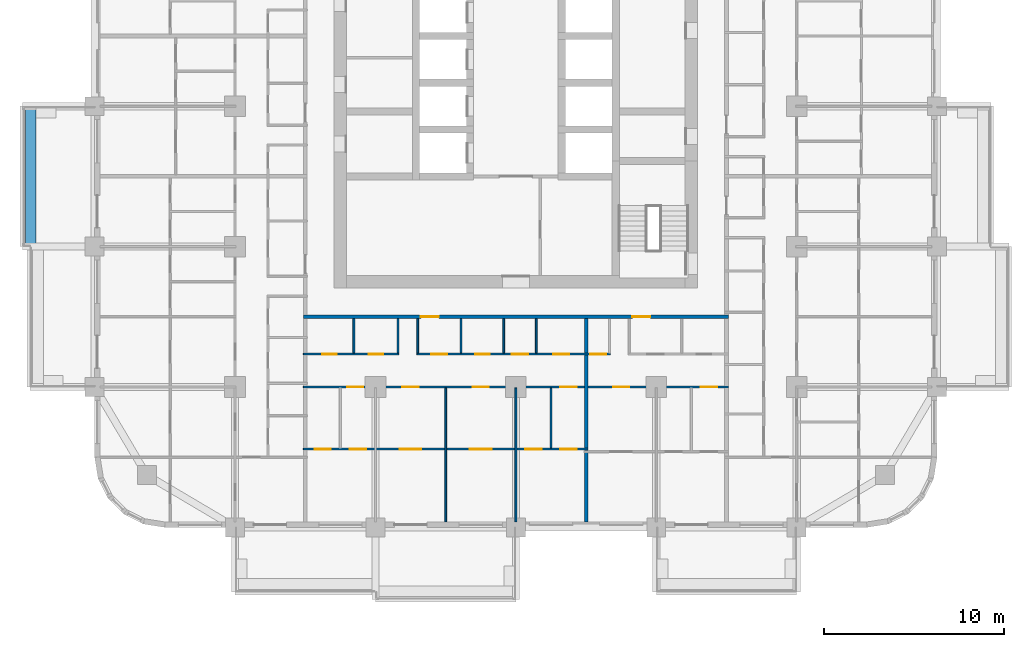
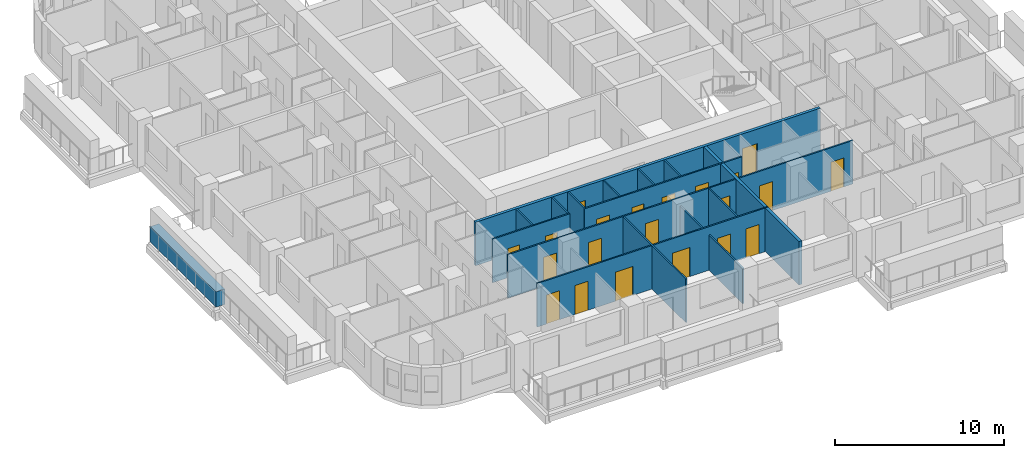
# One storey, part 4 of 17: 21 doors, 16 walls, 21 openings.
"""IFC4 building model written with IfcOpenShell, lengths in metres."""

from ifc_helpers import new_model, si_unit, direction, frame, frame_2d, origin, place, context, subcontext, project, spatial, rectangle, extrude, material, layer, layer_set, type_object, element, fill, save


model = new_model("IFC4")

# Units and contexts
model_context = context("Model", 3, precision=1e-05, world=origin(), true_north=direction((0.0, 1.0)))
body_context = subcontext(model_context, "Body", "Model", "MODEL_VIEW")
ifc_project = project(units=[si_unit("LENGTHUNIT", "METRE"), si_unit("AREAUNIT", "SQUARE_METRE"), si_unit("VOLUMEUNIT", "CUBIC_METRE"), si_unit("PLANEANGLEUNIT", "RADIAN"), si_unit("MASSUNIT", "GRAM", prefix="KILO")], contexts=[model_context])

# Site, building, storey
site_placement = place(None, origin())
site = spatial("IfcSite", under=ifc_project, at=site_placement, CompositionType="ELEMENT")
building_placement = place(site_placement, origin())
building = spatial("IfcBuilding", under=site, at=building_placement, Name="Ludao Terraces", CompositionType="ELEMENT")
storey_placement = place(building_placement, frame((0.0, 0.0, 22.89990234375)))
storey = spatial("IfcBuildingStorey", under=building, at=storey_placement, Name="L05", CompositionType="ELEMENT", Elevation=22.89990234375)

# Wall
ifc_material_1 = material(Name="Concrete C40", Category="concrete")
ifc_layer_1 = layer(ifc_material_1, 0.60009765625)
ifc_layer_set_1 = layer_set([ifc_layer_1], Name="ENV Planter trough 600")
wall_type_1 = type_object("IfcWallType", Name="ENV Planter trough 600", PredefinedType="USERDEFINED", material=ifc_layer_set_1)
wall_1_placement = place(storey_placement, frame((58.050048828125, 57.199951171875, 0.0), z_axis=(0.0, 0.0, 1.0), x_axis=(0.0, 1.0, 0.0)))
element("IfcWall", 1, at=wall_1_placement, inside=storey, type_object=wall_type_1, Name="PL-L05-W2", ObjectType="PLANTER", PredefinedType="USERDEFINED", context=body_context, shape_type="SweptSolid", body=[
    extrude(rectangle(XDim=7.800048828125, YDim=0.60009765625, at=frame_2d((3.89990234375, 0.0))), origin(), (0.0, 0.0, 1.0), 1.10009765625),
])

# Wall, openings, doors
ifc_material_2 = material(Name="Autoclaved aerated concrete block B06 A3.5", Category="concrete")
ifc_layer_2 = layer(ifc_material_2, 0.199951171875)
ifc_layer_set_2 = layer_set([ifc_layer_2], Name="INT Entrance wall 200")
wall_type_2 = type_object("IfcWallType", Name="INT Entrance wall 200", PredefinedType="PARTITIONING", material=ifc_layer_set_2)
wall_2_placement = place(storey_placement, frame((73.2001953125, 53.300048828125, 0.0), z_axis=(0.0, 0.0, 1.0), x_axis=(1.0, 0.0, 0.0)))
wall_2 = element("IfcWall", 2, at=wall_2_placement, inside=storey, type_object=wall_type_2, Name="PW-L05-PW017", PredefinedType="PARTITIONING", context=body_context, shape_type="SweptSolid", body=[
    extrude(rectangle(XDim=23.599853515625, YDim=0.199951171875, at=frame_2d((11.7998046875, 0.0))), origin(), (0.0, 0.0, 1.0), 3.150146484375),
])
opening_1_placement = place(wall_2_placement, frame((6.52490234375, 0.0, 0.0)))
opening_1 = element("IfcOpeningElement", 3, at=opening_1_placement, cuts=wall_2, Name="Opening R01-047", PredefinedType="OPENING", context=body_context, shape_type="SweptSolid", body=[
    extrude(rectangle(XDim=1.0, YDim=2.10009765625, at=frame_2d((0.5, 1.050048828125))), frame((0.0, 0.10986328125, 0.0), z_axis=(0.0, -1.0, 0.0), x_axis=(1.0, 0.0, 0.0)), (0.0, 0.0, 1.0), 0.219970703125),
])
opening_2_placement = place(wall_2_placement, frame((18.27490234375, 0.0, 0.0)))
opening_2 = element("IfcOpeningElement", 4, at=opening_2_placement, cuts=wall_2, Name="Opening R01-048", PredefinedType="OPENING", context=body_context, shape_type="SweptSolid", body=[
    extrude(rectangle(XDim=1.0, YDim=2.10009765625, at=frame_2d((0.5, 1.050048828125))), frame((0.0, 0.10986328125, 0.0), z_axis=(0.0, -1.0, 0.0), x_axis=(1.0, 0.0, 0.0)), (0.0, 0.0, 1.0), 0.219970703125),
])
ifc_material_3 = material(Name="Steel Q235", Category="steel")
door_type_1 = type_object("IfcDoorType", Name="INT Flat entrance door 1000", OperationType="SINGLE_SWING_LEFT", PredefinedType="DOOR", material=ifc_material_3)
door_1_placement = place(opening_1_placement, origin())
door_1 = element("IfcDoor", 5, at=door_1_placement, inside=storey, type_object=door_type_1, Name="DOOR 047", OperationType="SINGLE_SWING_LEFT", OverallHeight=2.10009765625, OverallWidth=1.0, PredefinedType="DOOR", context=body_context, shape_type="SweptSolid", body=[
    extrude(rectangle(XDim=1.0, YDim=2.10009765625, at=frame_2d((0.5, 1.050048828125))), frame((0.0, 0.02490234375, 0.0), z_axis=(0.0, -1.0, 0.0), x_axis=(1.0, 0.0, 0.0)), (0.0, 0.0, 1.0), 0.050048828125),
])
fill(opening_1, door_1)
door_2_placement = place(opening_2_placement, origin())
door_2 = element("IfcDoor", 6, at=door_2_placement, inside=storey, type_object=door_type_1, Name="DOOR 048", OperationType="SINGLE_SWING_LEFT", OverallHeight=2.10009765625, OverallWidth=1.0, PredefinedType="DOOR", context=body_context, shape_type="SweptSolid", body=[
    extrude(rectangle(XDim=1.0, YDim=2.10009765625, at=frame_2d((0.5, 1.050048828125))), frame((0.0, 0.02490234375, 0.0), z_axis=(0.0, -1.0, 0.0), x_axis=(1.0, 0.0, 0.0)), (0.0, 0.0, 1.0), 0.050048828125),
])
fill(opening_2, door_2)

ifc_material_4 = material(Name="Gypsum plasterboard", Category="gypsum")
ifc_layer_3 = layer(ifc_material_4, 0.012451171875, Category="gypsum")
ifc_material_5 = material(Name="Mineral wool")
ifc_layer_4 = layer(ifc_material_5, 0.06005859375, Name="insulation")
ifc_layer_5 = layer(ifc_material_3, 0.014892578125, Name="stud")
ifc_layer_6 = layer(ifc_material_4, 0.012451171875, Category="gypsum")
ifc_layer_set_3 = layer_set([ifc_layer_3, ifc_layer_4, ifc_layer_5, ifc_layer_6], Name="INT Partition 100")
wall_type_3 = type_object("IfcWallType", Name="INT Partition 100", PredefinedType="PARTITIONING", material=ifc_layer_set_3)
wall_3_placement = place(storey_placement, frame((73.2001953125, 45.949951171875, 0.0), z_axis=(0.0, 0.0, 1.0), x_axis=(1.0, 0.0, 0.0)))
wall_3 = element("IfcWall", 7, at=wall_3_placement, inside=storey, type_object=wall_type_3, Name="PW-L05-PW003", PredefinedType="PARTITIONING", context=body_context, shape_type="SweptSolid", body=[
    extrude(rectangle(XDim=15.7998046875, YDim=0.10009765625, at=frame_2d((7.89990234375, 0.0))), origin(), (0.0, 0.0, 1.0), 3.150146484375),
])
opening_3_placement = place(wall_3_placement, frame((0.625, 0.0, 0.0)))
opening_3 = element("IfcOpeningElement", 8, at=opening_3_placement, cuts=wall_3, Name="Opening R01-010", PredefinedType="OPENING", context=body_context, shape_type="SweptSolid", body=[
    extrude(rectangle(XDim=0.89990234375, YDim=2.10009765625, at=frame_2d((0.449951171875, 1.050048828125))), frame((0.0, 0.06005859375, 0.0), z_axis=(0.0, -1.0, 0.0), x_axis=(1.0, 0.0, 0.0)), (0.0, 0.0, 1.0), 0.1201171875),
])
opening_4_placement = place(wall_3_placement, frame((2.574951171875, 0.0, 0.0)))
opening_4 = element("IfcOpeningElement", 9, at=opening_4_placement, cuts=wall_3, Name="Opening R01-011", PredefinedType="OPENING", context=body_context, shape_type="SweptSolid", body=[
    extrude(rectangle(XDim=0.89990234375, YDim=2.10009765625, at=frame_2d((0.449951171875, 1.050048828125))), frame((0.0, 0.06005859375, 0.0), z_axis=(0.0, -1.0, 0.0), x_axis=(1.0, 0.0, 0.0)), (0.0, 0.0, 1.0), 0.1201171875),
])
opening_5_placement = place(wall_3_placement, frame((5.349853515625, 0.0, 0.0)))
opening_5 = element("IfcOpeningElement", 10, at=opening_5_placement, cuts=wall_3, Name="Opening R01-012", PredefinedType="OPENING", context=body_context, shape_type="SweptSolid", body=[
    extrude(rectangle(XDim=1.199951171875, YDim=2.10009765625, at=frame_2d((0.60009765625, 1.050048828125))), frame((0.0, 0.06005859375, 0.0), z_axis=(0.0, -1.0, 0.0), x_axis=(1.0, 0.0, 0.0)), (0.0, 0.0, 1.0), 0.1201171875),
])
opening_6_placement = place(wall_3_placement, frame((9.25, 0.0, 0.0)))
opening_6 = element("IfcOpeningElement", 11, at=opening_6_placement, cuts=wall_3, Name="Opening R01-013", PredefinedType="OPENING", context=body_context, shape_type="SweptSolid", body=[
    extrude(rectangle(XDim=1.199951171875, YDim=2.10009765625, at=frame_2d((0.60009765625, 1.050048828125))), frame((0.0, 0.06005859375, 0.0), z_axis=(0.0, -1.0, 0.0), x_axis=(1.0, 0.0, 0.0)), (0.0, 0.0, 1.0), 0.1201171875),
])
opening_7_placement = place(wall_3_placement, frame((12.324951171875, 0.0, 0.0)))
opening_7 = element("IfcOpeningElement", 12, at=opening_7_placement, cuts=wall_3, Name="Opening R01-014", PredefinedType="OPENING", context=body_context, shape_type="SweptSolid", body=[
    extrude(rectangle(XDim=0.89990234375, YDim=2.10009765625, at=frame_2d((0.449951171875, 1.050048828125))), frame((0.0, 0.06005859375, 0.0), z_axis=(0.0, -1.0, 0.0), x_axis=(1.0, 0.0, 0.0)), (0.0, 0.0, 1.0), 0.1201171875),
])
opening_8_placement = place(wall_3_placement, frame((14.27490234375, 0.0, 0.0)))
opening_8 = element("IfcOpeningElement", 13, at=opening_8_placement, cuts=wall_3, Name="Opening R01-015", PredefinedType="OPENING", context=body_context, shape_type="SweptSolid", body=[
    extrude(rectangle(XDim=0.89990234375, YDim=2.10009765625, at=frame_2d((0.449951171875, 1.050048828125))), frame((0.0, 0.06005859375, 0.0), z_axis=(0.0, -1.0, 0.0), x_axis=(1.0, 0.0, 0.0)), (0.0, 0.0, 1.0), 0.1201171875),
])
ifc_material_6 = material(Name="Timber door leaf", Category="wood")
door_type_2 = type_object("IfcDoorType", Name="INT Bathroom door 900", OperationType="SINGLE_SWING_LEFT", PredefinedType="DOOR", material=ifc_material_6)
door_3_placement = place(opening_3_placement, origin())
door_3 = element("IfcDoor", 14, at=door_3_placement, inside=storey, type_object=door_type_2, Name="DOOR 010", OperationType="SINGLE_SWING_LEFT", OverallHeight=2.10009765625, OverallWidth=0.89990234375, PredefinedType="DOOR", context=body_context, shape_type="SweptSolid", body=[
    extrude(rectangle(XDim=0.89990234375, YDim=2.10009765625, at=frame_2d((0.449951171875, 1.050048828125))), frame((0.0, 0.02490234375, 0.0), z_axis=(0.0, -1.0, 0.0), x_axis=(1.0, 0.0, 0.0)), (0.0, 0.0, 1.0), 0.050048828125),
])
fill(opening_3, door_3)
door_4_placement = place(opening_7_placement, origin())
door_4 = element("IfcDoor", 15, at=door_4_placement, inside=storey, type_object=door_type_2, Name="DOOR 014", OperationType="SINGLE_SWING_RIGHT", OverallHeight=2.10009765625, OverallWidth=0.89990234375, PredefinedType="DOOR", context=body_context, shape_type="SweptSolid", body=[
    extrude(rectangle(XDim=0.89990234375, YDim=2.10009765625, at=frame_2d((0.449951171875, 1.050048828125))), frame((0.0, 0.02490234375, 0.0), z_axis=(0.0, -1.0, 0.0), x_axis=(1.0, 0.0, 0.0)), (0.0, 0.0, 1.0), 0.050048828125),
])
fill(opening_7, door_4)
door_type_3 = type_object("IfcDoorType", Name="INT Double door 1200", OperationType="DOUBLE_DOOR_SINGLE_SWING", PredefinedType="DOOR", material=ifc_material_6)
door_5_placement = place(opening_5_placement, origin())
door_5 = element("IfcDoor", 16, at=door_5_placement, inside=storey, type_object=door_type_3, Name="DOOR 012", OperationType="DOUBLE_DOOR_SINGLE_SWING", OverallHeight=2.10009765625, OverallWidth=1.199951171875, PredefinedType="DOOR", context=body_context, shape_type="SweptSolid", body=[
    extrude(rectangle(XDim=1.199951171875, YDim=2.10009765625, at=frame_2d((0.60009765625, 1.050048828125))), frame((0.0, 0.02490234375, 0.0), z_axis=(0.0, -1.0, 0.0), x_axis=(1.0, 0.0, 0.0)), (0.0, 0.0, 1.0), 0.050048828125),
])
fill(opening_5, door_5)
door_6_placement = place(opening_6_placement, origin())
door_6 = element("IfcDoor", 17, at=door_6_placement, inside=storey, type_object=door_type_3, Name="DOOR 013", OperationType="DOUBLE_DOOR_SINGLE_SWING", OverallHeight=2.10009765625, OverallWidth=1.199951171875, PredefinedType="DOOR", context=body_context, shape_type="SweptSolid", body=[
    extrude(rectangle(XDim=1.199951171875, YDim=2.10009765625, at=frame_2d((0.60009765625, 1.050048828125))), frame((0.0, 0.02490234375, 0.0), z_axis=(0.0, -1.0, 0.0), x_axis=(1.0, 0.0, 0.0)), (0.0, 0.0, 1.0), 0.050048828125),
])
fill(opening_6, door_6)
door_type_4 = type_object("IfcDoorType", Name="INT Room door 900", OperationType="SINGLE_SWING_LEFT", PredefinedType="DOOR", material=ifc_material_6)
door_7_placement = place(opening_4_placement, origin())
door_7 = element("IfcDoor", 18, at=door_7_placement, inside=storey, type_object=door_type_4, Name="DOOR 011", OperationType="SINGLE_SWING_LEFT", OverallHeight=2.10009765625, OverallWidth=0.89990234375, PredefinedType="DOOR", context=body_context, shape_type="SweptSolid", body=[
    extrude(rectangle(XDim=0.89990234375, YDim=2.10009765625, at=frame_2d((0.449951171875, 1.050048828125))), frame((0.0, 0.02490234375, 0.0), z_axis=(0.0, -1.0, 0.0), x_axis=(1.0, 0.0, 0.0)), (0.0, 0.0, 1.0), 0.050048828125),
])
fill(opening_4, door_7)
door_8_placement = place(opening_8_placement, origin())
door_8 = element("IfcDoor", 19, at=door_8_placement, inside=storey, type_object=door_type_4, Name="DOOR 015", OperationType="SINGLE_SWING_RIGHT", OverallHeight=2.10009765625, OverallWidth=0.89990234375, PredefinedType="DOOR", context=body_context, shape_type="SweptSolid", body=[
    extrude(rectangle(XDim=0.89990234375, YDim=2.10009765625, at=frame_2d((0.449951171875, 1.050048828125))), frame((0.0, 0.02490234375, 0.0), z_axis=(0.0, -1.0, 0.0), x_axis=(1.0, 0.0, 0.0)), (0.0, 0.0, 1.0), 0.050048828125),
])
fill(opening_8, door_8)

wall_4_placement = place(storey_placement, frame((73.2001953125, 49.39990234375, 0.0), z_axis=(0.0, 0.0, 1.0), x_axis=(1.0, 0.0, 0.0)))
wall_4 = element("IfcWall", 20, at=wall_4_placement, inside=storey, type_object=wall_type_3, Name="PW-L05-PW008", PredefinedType="PARTITIONING", context=body_context, shape_type="SweptSolid", body=[
    extrude(rectangle(XDim=23.599853515625, YDim=0.10009765625, at=frame_2d((11.7998046875, 0.0))), origin(), (0.0, 0.0, 1.0), 3.150146484375),
])
opening_9_placement = place(wall_4_placement, frame((2.4248046875, 0.0, 0.0)))
opening_9 = element("IfcOpeningElement", 21, at=opening_9_placement, cuts=wall_4, Name="Opening R01-025", PredefinedType="OPENING", context=body_context, shape_type="SweptSolid", body=[
    extrude(rectangle(XDim=0.89990234375, YDim=2.10009765625, at=frame_2d((0.449951171875, 1.050048828125))), frame((0.0, 0.06005859375, 0.0), z_axis=(0.0, -1.0, 0.0), x_axis=(1.0, 0.0, 0.0)), (0.0, 0.0, 1.0), 0.1201171875),
])
opening_10_placement = place(wall_4_placement, frame((5.5, 0.0, 0.0)))
opening_10 = element("IfcOpeningElement", 22, at=opening_10_placement, cuts=wall_4, Name="Opening R01-026", PredefinedType="OPENING", context=body_context, shape_type="SweptSolid", body=[
    extrude(rectangle(XDim=0.89990234375, YDim=2.10009765625, at=frame_2d((0.449951171875, 1.050048828125))), frame((0.0, 0.06005859375, 0.0), z_axis=(0.0, -1.0, 0.0), x_axis=(1.0, 0.0, 0.0)), (0.0, 0.0, 1.0), 0.1201171875),
])
opening_11_placement = place(wall_4_placement, frame((9.39990234375, 0.0, 0.0)))
opening_11 = element("IfcOpeningElement", 23, at=opening_11_placement, cuts=wall_4, Name="Opening R01-027", PredefinedType="OPENING", context=body_context, shape_type="SweptSolid", body=[
    extrude(rectangle(XDim=0.89990234375, YDim=2.10009765625, at=frame_2d((0.449951171875, 1.050048828125))), frame((0.0, 0.06005859375, 0.0), z_axis=(0.0, -1.0, 0.0), x_axis=(1.0, 0.0, 0.0)), (0.0, 0.0, 1.0), 0.1201171875),
])
opening_12_placement = place(wall_4_placement, frame((14.27490234375, 0.0, 0.0)))
opening_12 = element("IfcOpeningElement", 24, at=opening_12_placement, cuts=wall_4, Name="Opening R01-028", PredefinedType="OPENING", context=body_context, shape_type="SweptSolid", body=[
    extrude(rectangle(XDim=0.89990234375, YDim=2.10009765625, at=frame_2d((0.449951171875, 1.050048828125))), frame((0.0, 0.06005859375, 0.0), z_axis=(0.0, -1.0, 0.0), x_axis=(1.0, 0.0, 0.0)), (0.0, 0.0, 1.0), 0.1201171875),
])
opening_13_placement = place(wall_4_placement, frame((17.199951171875, 0.0, 0.0)))
opening_13 = element("IfcOpeningElement", 25, at=opening_13_placement, cuts=wall_4, Name="Opening R01-029", PredefinedType="OPENING", context=body_context, shape_type="SweptSolid", body=[
    extrude(rectangle(XDim=0.89990234375, YDim=2.10009765625, at=frame_2d((0.449951171875, 1.050048828125))), frame((0.0, 0.06005859375, 0.0), z_axis=(0.0, -1.0, 0.0), x_axis=(1.0, 0.0, 0.0)), (0.0, 0.0, 1.0), 0.1201171875),
])
opening_14_placement = place(wall_4_placement, frame((22.074951171875, 0.0, 0.0)))
opening_14 = element("IfcOpeningElement", 26, at=opening_14_placement, cuts=wall_4, Name="Opening R01-030", PredefinedType="OPENING", context=body_context, shape_type="SweptSolid", body=[
    extrude(rectangle(XDim=0.89990234375, YDim=2.10009765625, at=frame_2d((0.449951171875, 1.050048828125))), frame((0.0, 0.06005859375, 0.0), z_axis=(0.0, -1.0, 0.0), x_axis=(1.0, 0.0, 0.0)), (0.0, 0.0, 1.0), 0.1201171875),
])
door_9_placement = place(opening_9_placement, origin())
door_9 = element("IfcDoor", 27, at=door_9_placement, inside=storey, type_object=door_type_4, Name="DOOR 025", OperationType="SINGLE_SWING_RIGHT", OverallHeight=2.10009765625, OverallWidth=0.89990234375, PredefinedType="DOOR", context=body_context, shape_type="SweptSolid", body=[
    extrude(rectangle(XDim=0.89990234375, YDim=2.10009765625, at=frame_2d((0.449951171875, 1.050048828125))), frame((0.0, 0.02490234375, 0.0), z_axis=(0.0, -1.0, 0.0), x_axis=(1.0, 0.0, 0.0)), (0.0, 0.0, 1.0), 0.050048828125),
])
fill(opening_9, door_9)
door_10_placement = place(opening_10_placement, origin())
door_10 = element("IfcDoor", 28, at=door_10_placement, inside=storey, type_object=door_type_4, Name="DOOR 026", OperationType="SINGLE_SWING_RIGHT", OverallHeight=2.10009765625, OverallWidth=0.89990234375, PredefinedType="DOOR", context=body_context, shape_type="SweptSolid", body=[
    extrude(rectangle(XDim=0.89990234375, YDim=2.10009765625, at=frame_2d((0.449951171875, 1.050048828125))), frame((0.0, 0.02490234375, 0.0), z_axis=(0.0, -1.0, 0.0), x_axis=(1.0, 0.0, 0.0)), (0.0, 0.0, 1.0), 0.050048828125),
])
fill(opening_10, door_10)
door_11_placement = place(opening_11_placement, origin())
door_11 = element("IfcDoor", 29, at=door_11_placement, inside=storey, type_object=door_type_4, Name="DOOR 027", OperationType="SINGLE_SWING_RIGHT", OverallHeight=2.10009765625, OverallWidth=0.89990234375, PredefinedType="DOOR", context=body_context, shape_type="SweptSolid", body=[
    extrude(rectangle(XDim=0.89990234375, YDim=2.10009765625, at=frame_2d((0.449951171875, 1.050048828125))), frame((0.0, 0.02490234375, 0.0), z_axis=(0.0, -1.0, 0.0), x_axis=(1.0, 0.0, 0.0)), (0.0, 0.0, 1.0), 0.050048828125),
])
fill(opening_11, door_11)
door_12_placement = place(opening_12_placement, origin())
door_12 = element("IfcDoor", 30, at=door_12_placement, inside=storey, type_object=door_type_4, Name="DOOR 028", OperationType="SINGLE_SWING_LEFT", OverallHeight=2.10009765625, OverallWidth=0.89990234375, PredefinedType="DOOR", context=body_context, shape_type="SweptSolid", body=[
    extrude(rectangle(XDim=0.89990234375, YDim=2.10009765625, at=frame_2d((0.449951171875, 1.050048828125))), frame((0.0, 0.02490234375, 0.0), z_axis=(0.0, -1.0, 0.0), x_axis=(1.0, 0.0, 0.0)), (0.0, 0.0, 1.0), 0.050048828125),
])
fill(opening_12, door_12)
door_13_placement = place(opening_13_placement, origin())
door_13 = element("IfcDoor", 31, at=door_13_placement, inside=storey, type_object=door_type_4, Name="DOOR 029", OperationType="SINGLE_SWING_RIGHT", OverallHeight=2.10009765625, OverallWidth=0.89990234375, PredefinedType="DOOR", context=body_context, shape_type="SweptSolid", body=[
    extrude(rectangle(XDim=0.89990234375, YDim=2.10009765625, at=frame_2d((0.449951171875, 1.050048828125))), frame((0.0, 0.02490234375, 0.0), z_axis=(0.0, -1.0, 0.0), x_axis=(1.0, 0.0, 0.0)), (0.0, 0.0, 1.0), 0.050048828125),
])
fill(opening_13, door_13)
door_14_placement = place(opening_14_placement, origin())
door_14 = element("IfcDoor", 32, at=door_14_placement, inside=storey, type_object=door_type_4, Name="DOOR 030", OperationType="SINGLE_SWING_LEFT", OverallHeight=2.10009765625, OverallWidth=0.89990234375, PredefinedType="DOOR", context=body_context, shape_type="SweptSolid", body=[
    extrude(rectangle(XDim=0.89990234375, YDim=2.10009765625, at=frame_2d((0.449951171875, 1.050048828125))), frame((0.0, 0.02490234375, 0.0), z_axis=(0.0, -1.0, 0.0), x_axis=(1.0, 0.0, 0.0)), (0.0, 0.0, 1.0), 0.050048828125),
])
fill(opening_14, door_14)

wall_5_placement = place(storey_placement, frame((73.2001953125, 51.22998046875, 0.0), z_axis=(0.0, 0.0, 1.0), x_axis=(1.0, 0.0, 0.0)))
wall_5 = element("IfcWall", 33, at=wall_5_placement, inside=storey, type_object=wall_type_3, Name="PW-L05-PW012", PredefinedType="PARTITIONING", context=body_context, shape_type="SweptSolid", body=[
    extrude(rectangle(XDim=5.2998046875, YDim=0.10009765625, at=frame_2d((2.64990234375, 0.0))), origin(), (0.0, 0.0, 1.0), 3.150146484375),
])
opening_15_placement = place(wall_5_placement, frame((1.0498046875, 0.0, 0.0)))
opening_15 = element("IfcOpeningElement", 34, at=opening_15_placement, cuts=wall_5, Name="Opening R01-032", PredefinedType="OPENING", context=body_context, shape_type="SweptSolid", body=[
    extrude(rectangle(XDim=0.800048828125, YDim=2.10009765625, at=frame_2d((0.39990234375, 1.050048828125))), frame((0.0, 0.06005859375, 0.0), z_axis=(0.0, -1.0, 0.0), x_axis=(1.0, 0.0, 0.0)), (0.0, 0.0, 1.0), 0.1201171875),
])
opening_16_placement = place(wall_5_placement, frame((3.625, 0.0, 0.0)))
opening_16 = element("IfcOpeningElement", 35, at=opening_16_placement, cuts=wall_5, Name="Opening R01-033", PredefinedType="OPENING", context=body_context, shape_type="SweptSolid", body=[
    extrude(rectangle(XDim=0.800048828125, YDim=2.10009765625, at=frame_2d((0.39990234375, 1.050048828125))), frame((0.0, 0.06005859375, 0.0), z_axis=(0.0, -1.0, 0.0), x_axis=(1.0, 0.0, 0.0)), (0.0, 0.0, 1.0), 0.1201171875),
])
door_type_5 = type_object("IfcDoorType", Name="INT Store door 800", OperationType="SINGLE_SWING_LEFT", PredefinedType="DOOR", material=ifc_material_6)
door_15_placement = place(opening_15_placement, origin())
door_15 = element("IfcDoor", 36, at=door_15_placement, inside=storey, type_object=door_type_5, Name="DOOR 032", OperationType="SINGLE_SWING_LEFT", OverallHeight=2.10009765625, OverallWidth=0.800048828125, PredefinedType="DOOR", context=body_context, shape_type="SweptSolid", body=[
    extrude(rectangle(XDim=0.800048828125, YDim=2.10009765625, at=frame_2d((0.39990234375, 1.050048828125))), frame((0.0, 0.02490234375, 0.0), z_axis=(0.0, -1.0, 0.0), x_axis=(1.0, 0.0, 0.0)), (0.0, 0.0, 1.0), 0.050048828125),
])
fill(opening_15, door_15)
door_16_placement = place(opening_16_placement, origin())
door_16 = element("IfcDoor", 37, at=door_16_placement, inside=storey, type_object=door_type_5, Name="DOOR 033", OperationType="SINGLE_SWING_LEFT", OverallHeight=2.10009765625, OverallWidth=0.800048828125, PredefinedType="DOOR", context=body_context, shape_type="SweptSolid", body=[
    extrude(rectangle(XDim=0.800048828125, YDim=2.10009765625, at=frame_2d((0.39990234375, 1.050048828125))), frame((0.0, 0.02490234375, 0.0), z_axis=(0.0, -1.0, 0.0), x_axis=(1.0, 0.0, 0.0)), (0.0, 0.0, 1.0), 0.050048828125),
])
fill(opening_16, door_16)

wall_6_placement = place(storey_placement, frame((79.5, 51.22998046875, 0.0), z_axis=(0.0, 0.0, 1.0), x_axis=(1.0, 0.0, 0.0)))
wall_6 = element("IfcWall", 38, at=wall_6_placement, inside=storey, type_object=wall_type_3, Name="PW-L05-PW013", PredefinedType="PARTITIONING", context=body_context, shape_type="SweptSolid", body=[
    extrude(rectangle(XDim=10.75, YDim=0.10009765625, at=frame_2d((5.375, 0.0))), origin(), (0.0, 0.0, 1.0), 3.150146484375),
])
opening_17_placement = place(wall_6_placement, frame((0.800048828125, 0.0, 0.0)))
opening_17 = element("IfcOpeningElement", 39, at=opening_17_placement, cuts=wall_6, Name="Opening R01-034", PredefinedType="OPENING", context=body_context, shape_type="SweptSolid", body=[
    extrude(rectangle(XDim=0.89990234375, YDim=2.10009765625, at=frame_2d((0.449951171875, 1.050048828125))), frame((0.0, 0.06005859375, 0.0), z_axis=(0.0, -1.0, 0.0), x_axis=(1.0, 0.0, 0.0)), (0.0, 0.0, 1.0), 0.1201171875),
])
opening_18_placement = place(wall_6_placement, frame((3.239990234375, 0.0, 0.0)))
opening_18 = element("IfcOpeningElement", 40, at=opening_18_placement, cuts=wall_6, Name="Opening R01-035", PredefinedType="OPENING", context=body_context, shape_type="SweptSolid", body=[
    extrude(rectangle(XDim=0.800048828125, YDim=2.10009765625, at=frame_2d((0.39990234375, 1.050048828125))), frame((0.0, 0.06005859375, 0.0), z_axis=(0.0, -1.0, 0.0), x_axis=(1.0, 0.0, 0.0)), (0.0, 0.0, 1.0), 0.1201171875),
])
opening_19_placement = place(wall_6_placement, frame((5.280029296875, 0.0, 0.0)))
opening_19 = element("IfcOpeningElement", 41, at=opening_19_placement, cuts=wall_6, Name="Opening R01-036", PredefinedType="OPENING", context=body_context, shape_type="SweptSolid", body=[
    extrude(rectangle(XDim=0.89990234375, YDim=2.10009765625, at=frame_2d((0.449951171875, 1.050048828125))), frame((0.0, 0.06005859375, 0.0), z_axis=(0.0, -1.0, 0.0), x_axis=(1.0, 0.0, 0.0)), (0.0, 0.0, 1.0), 0.1201171875),
])
opening_20_placement = place(wall_6_placement, frame((7.565185546875, 0.0, 0.0)))
opening_20 = element("IfcOpeningElement", 42, at=opening_20_placement, cuts=wall_6, Name="Opening R01-037", PredefinedType="OPENING", context=body_context, shape_type="SweptSolid", body=[
    extrude(rectangle(XDim=0.89990234375, YDim=2.10009765625, at=frame_2d((0.449951171875, 1.050048828125))), frame((0.0, 0.06005859375, 0.0), z_axis=(0.0, -1.0, 0.0), x_axis=(1.0, 0.0, 0.0)), (0.0, 0.0, 1.0), 0.1201171875),
])
opening_21_placement = place(wall_6_placement, frame((9.625, 0.0, 0.0)))
opening_21 = element("IfcOpeningElement", 43, at=opening_21_placement, cuts=wall_6, Name="Opening R01-038", PredefinedType="OPENING", context=body_context, shape_type="SweptSolid", body=[
    extrude(rectangle(XDim=0.89990234375, YDim=2.10009765625, at=frame_2d((0.449951171875, 1.050048828125))), frame((0.0, 0.06005859375, 0.0), z_axis=(0.0, -1.0, 0.0), x_axis=(1.0, 0.0, 0.0)), (0.0, 0.0, 1.0), 0.1201171875),
])
door_17_placement = place(opening_17_placement, origin())
door_17 = element("IfcDoor", 44, at=door_17_placement, inside=storey, type_object=door_type_2, Name="DOOR 034", OperationType="SINGLE_SWING_LEFT", OverallHeight=2.10009765625, OverallWidth=0.89990234375, PredefinedType="DOOR", context=body_context, shape_type="SweptSolid", body=[
    extrude(rectangle(XDim=0.89990234375, YDim=2.10009765625, at=frame_2d((0.449951171875, 1.050048828125))), frame((0.0, 0.02490234375, 0.0), z_axis=(0.0, -1.0, 0.0), x_axis=(1.0, 0.0, 0.0)), (0.0, 0.0, 1.0), 0.050048828125),
])
fill(opening_17, door_17)
door_18_placement = place(opening_19_placement, origin())
door_18 = element("IfcDoor", 45, at=door_18_placement, inside=storey, type_object=door_type_2, Name="DOOR 036", OperationType="SINGLE_SWING_LEFT", OverallHeight=2.10009765625, OverallWidth=0.89990234375, PredefinedType="DOOR", context=body_context, shape_type="SweptSolid", body=[
    extrude(rectangle(XDim=0.89990234375, YDim=2.10009765625, at=frame_2d((0.449951171875, 1.050048828125))), frame((0.0, 0.02490234375, 0.0), z_axis=(0.0, -1.0, 0.0), x_axis=(1.0, 0.0, 0.0)), (0.0, 0.0, 1.0), 0.050048828125),
])
fill(opening_19, door_18)
door_19_placement = place(opening_21_placement, origin())
door_19 = element("IfcDoor", 46, at=door_19_placement, inside=storey, type_object=door_type_2, Name="DOOR 038", OperationType="SINGLE_SWING_LEFT", OverallHeight=2.10009765625, OverallWidth=0.89990234375, PredefinedType="DOOR", context=body_context, shape_type="SweptSolid", body=[
    extrude(rectangle(XDim=0.89990234375, YDim=2.10009765625, at=frame_2d((0.449951171875, 1.050048828125))), frame((0.0, 0.02490234375, 0.0), z_axis=(0.0, -1.0, 0.0), x_axis=(1.0, 0.0, 0.0)), (0.0, 0.0, 1.0), 0.050048828125),
])
fill(opening_21, door_19)
door_20_placement = place(opening_20_placement, origin())
door_20 = element("IfcDoor", 47, at=door_20_placement, inside=storey, type_object=door_type_4, Name="DOOR 037", OperationType="SINGLE_SWING_LEFT", OverallHeight=2.10009765625, OverallWidth=0.89990234375, PredefinedType="DOOR", context=body_context, shape_type="SweptSolid", body=[
    extrude(rectangle(XDim=0.89990234375, YDim=2.10009765625, at=frame_2d((0.449951171875, 1.050048828125))), frame((0.0, 0.02490234375, 0.0), z_axis=(0.0, -1.0, 0.0), x_axis=(1.0, 0.0, 0.0)), (0.0, 0.0, 1.0), 0.050048828125),
])
fill(opening_20, door_20)
door_21_placement = place(opening_18_placement, origin())
door_21 = element("IfcDoor", 48, at=door_21_placement, inside=storey, type_object=door_type_5, Name="DOOR 035", OperationType="SINGLE_SWING_LEFT", OverallHeight=2.10009765625, OverallWidth=0.800048828125, PredefinedType="DOOR", context=body_context, shape_type="SweptSolid", body=[
    extrude(rectangle(XDim=0.800048828125, YDim=2.10009765625, at=frame_2d((0.39990234375, 1.050048828125))), frame((0.0, 0.02490234375, 0.0), z_axis=(0.0, -1.0, 0.0), x_axis=(1.0, 0.0, 0.0)), (0.0, 0.0, 1.0), 0.050048828125),
])
fill(opening_18, door_21)

# Walls
for number, where, z_axis, x_axis, name in (
    (49, (76.0, 51.280029296875, 0.0), (0.0, 0.0, 1.0), (0.0, 1.0, 0.0), "PW-L05-PW087"),
    (50, (78.449951171875, 51.280029296875, 0.0), (0.0, 0.0, 1.0), (0.0, 1.0, 0.0), "PW-L05-PW090"),
    (51, (79.550048828125, 51.280029296875, 0.0), (0.0, 0.0, 1.0), (0.0, 1.0, 0.0), "PW-L05-PW091"),
):
    element("IfcWall", number, at=place(storey_placement, frame(where, z_axis=z_axis, x_axis=x_axis)), inside=storey, type_object=wall_type_3, Name=name, PredefinedType="PARTITIONING", context=body_context, shape_type="SweptSolid", body=[
        extrude(rectangle(XDim=1.920166015625, YDim=0.10009765625, at=frame_2d((0.9599609375, 0.0))), origin(), (0.0, 0.0, 1.0), 3.150146484375),
    ])
wall_7_placement = place(storey_placement, frame((81.10009765625, 41.900146484375, 0.0), z_axis=(0.0, 0.0, 1.0), x_axis=(0.0, 1.0, 0.0)))
element("IfcWall", 52, at=wall_7_placement, inside=storey, type_object=wall_type_3, Name="PW-L05-PW092", PredefinedType="PARTITIONING", context=body_context, shape_type="SweptSolid", body=[
    extrude(rectangle(XDim=7.449951171875, YDim=0.10009765625, at=frame_2d((3.72509765625, 0.0))), origin(), (0.0, 0.0, 1.0), 3.150146484375),
])
for number, where, z_axis, x_axis, name in (
    (53, (81.949951171875, 51.280029296875, 0.0), (0.0, 0.0, 1.0), (0.0, 1.0, 0.0), "PW-L05-PW094"),
    (54, (84.330078125, 51.280029296875, 0.0), (0.0, 0.0, 1.0), (0.0, 1.0, 0.0), "PW-L05-PW095"),
):
    element("IfcWall", number, at=place(storey_placement, frame(where, z_axis=z_axis, x_axis=x_axis)), inside=storey, type_object=wall_type_3, Name=name, PredefinedType="PARTITIONING", context=body_context, shape_type="SweptSolid", body=[
        extrude(rectangle(XDim=1.920166015625, YDim=0.10009765625, at=frame_2d((0.9599609375, 0.0))), origin(), (0.0, 0.0, 1.0), 3.150146484375),
    ])
wall_8_placement = place(storey_placement, frame((85.0, 41.900146484375, 0.0), z_axis=(0.0, 0.0, 1.0), x_axis=(0.0, 1.0, 0.0)))
element("IfcWall", 55, at=wall_8_placement, inside=storey, type_object=wall_type_3, Name="PW-L05-PW096", PredefinedType="PARTITIONING", context=body_context, shape_type="SweptSolid", body=[
    extrude(rectangle(XDim=7.449951171875, YDim=0.10009765625, at=frame_2d((3.72509765625, 0.0))), origin(), (0.0, 0.0, 1.0), 2.550048828125),
])
wall_9_placement = place(storey_placement, frame((86.1298828125, 51.280029296875, 0.0), z_axis=(0.0, 0.0, 1.0), x_axis=(0.0, 1.0, 0.0)))
element("IfcWall", 56, at=wall_9_placement, inside=storey, type_object=wall_type_3, Name="PW-L05-PW098", PredefinedType="PARTITIONING", context=body_context, shape_type="SweptSolid", body=[
    extrude(rectangle(XDim=1.920166015625, YDim=0.10009765625, at=frame_2d((0.9599609375, 0.0))), origin(), (0.0, 0.0, 1.0), 3.150146484375),
])
wall_10_placement = place(storey_placement, frame((86.949951171875, 46.0, 0.0), z_axis=(0.0, 0.0, 1.0), x_axis=(0.0, 1.0, 0.0)))
element("IfcWall", 57, at=wall_10_placement, inside=storey, type_object=wall_type_3, Name="PW-L05-PW100", PredefinedType="PARTITIONING", context=body_context, shape_type="SweptSolid", body=[
    extrude(rectangle(XDim=3.35009765625, YDim=0.10009765625, at=frame_2d((1.675048828125, 0.0))), origin(), (0.0, 0.0, 1.0), 3.150146484375),
])
ifc_layer_7 = layer(ifc_material_2, 0.199951171875)
ifc_layer_set_4 = layer_set([ifc_layer_7], Name="INT Party wall 200")
wall_type_4 = type_object("IfcWallType", Name="INT Party wall 200", PredefinedType="PARTITIONING", material=ifc_layer_set_4)
wall_11_placement = place(storey_placement, frame((88.89990234375, 41.900146484375, 0.0), z_axis=(0.0, 0.0, 1.0), x_axis=(0.0, 1.0, 0.0)))
element("IfcWall", 58, at=wall_11_placement, inside=storey, type_object=wall_type_4, Name="PW-L05-PW101", PredefinedType="PARTITIONING", context=body_context, shape_type="SweptSolid", body=[
    extrude(rectangle(XDim=11.300048828125, YDim=0.199951171875, at=frame_2d((5.64990234375, 0.0))), origin(), (0.0, 0.0, 1.0), 3.150146484375),
])

save(model, "model.ifc")
